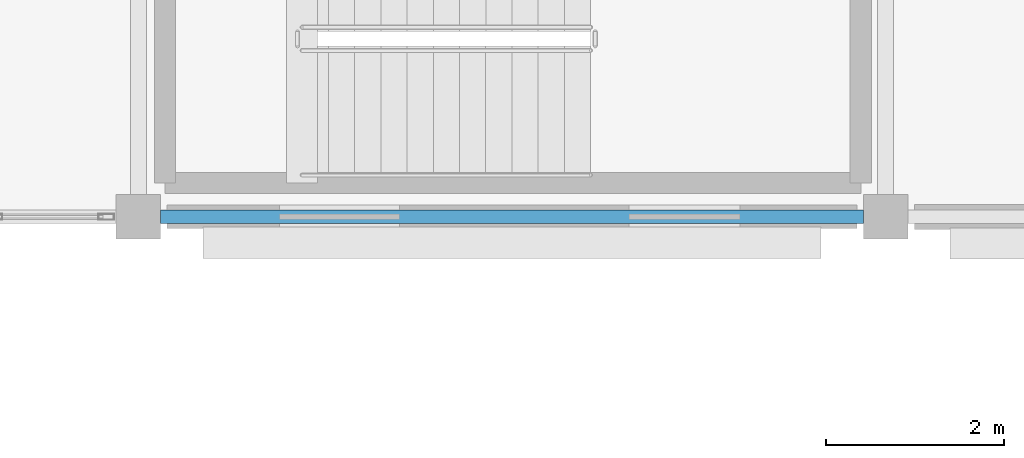
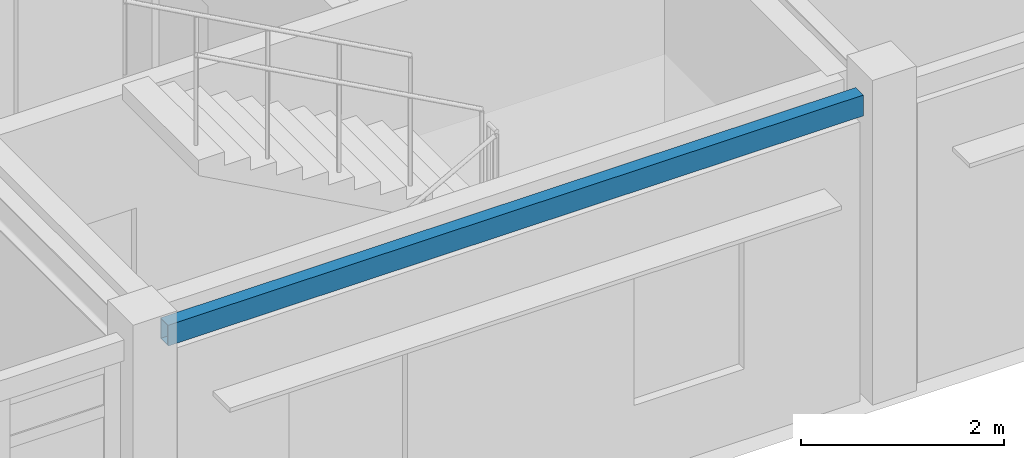
# One storey, part 13 of 53: 1 beam.
"""IFC4 building model written with IfcOpenShell, lengths in metres."""

from ifc_helpers import new_model, si_unit, direction, frame, origin, origin_2d, place, context, subcontext, project, spatial, hollow_rectangle, extrude, material, material_profile, profile_set, type_object, element, save


model = new_model("IFC4")

# Units and contexts
model_context = context("Model", 3, precision=1e-05, world=origin(), true_north=direction((0.0, 1.0)))
body_context = subcontext(model_context, "Body", "Model", "MODEL_VIEW")
ifc_project = project(units=[si_unit("LENGTHUNIT", "METRE"), si_unit("AREAUNIT", "SQUARE_METRE"), si_unit("VOLUMEUNIT", "CUBIC_METRE"), si_unit("PLANEANGLEUNIT", "RADIAN"), si_unit("MASSUNIT", "GRAM", prefix="KILO")], contexts=[model_context])

# Site, building, storey
site_placement = place(None, origin())
site = spatial("IfcSite", under=ifc_project, at=site_placement, CompositionType="ELEMENT")
building_placement = place(site_placement, origin())
building = spatial("IfcBuilding", under=site, at=building_placement, Name="Bramfleet General Hospital", CompositionType="ELEMENT")
storey_placement = place(building_placement, frame((0.0, 0.0, 26.39990234375)))
storey = spatial("IfcBuildingStorey", under=building, at=storey_placement, Name="L06", CompositionType="ELEMENT", Elevation=26.39990234375)

# Beam
ifc_material = material(Name="Steel S355", Category="steel")
ifc_material_profile = material_profile(ifc_material, hollow_rectangle(XDim=0.14990234375, YDim=0.25, WallThickness=0.010009765625, at=origin_2d()), Name="RHS 250x150x10.0")
ifc_profile_set = profile_set([ifc_material_profile], Name="Steel S355")
beam_type = type_object("IfcBeamType", Name="BM-RHS250", PredefinedType="SPANDREL", material=ifc_profile_set)
beam_placement = place(storey_placement, frame((75.85009765625, 92.39990234375, 3.4951171875), z_axis=(1.0, 0.0, 0.0), x_axis=(0.0, 1.0, 0.0)))
element("IfcBeam", 1, at=beam_placement, inside=storey, type_object=beam_type, Name="L06 Grid Beam X 09-11", PredefinedType="SPANDREL", context=body_context, shape_type="SweptSolid", body=[
    extrude(hollow_rectangle(XDim=0.14990234375, YDim=0.25, WallThickness=0.010009765625, at=origin_2d()), origin(), (0.0, 0.0, 1.0), 7.89990234375),
])

save(model, "model.ifc")
